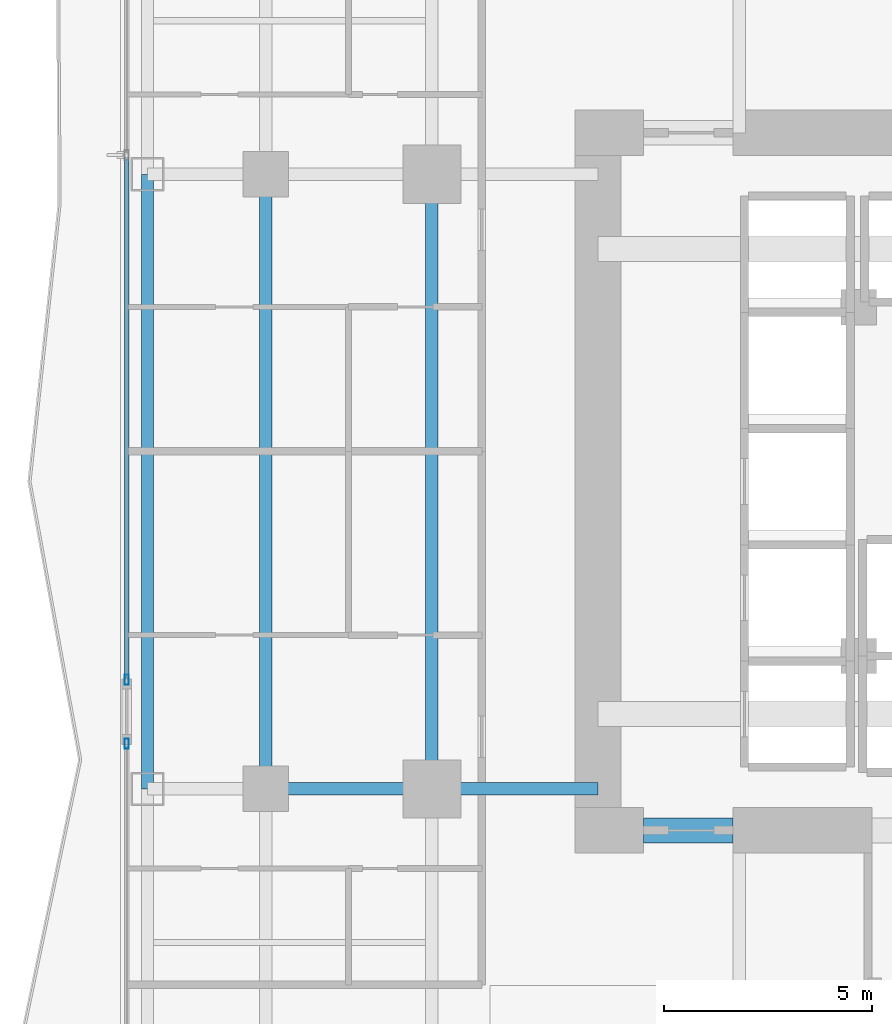
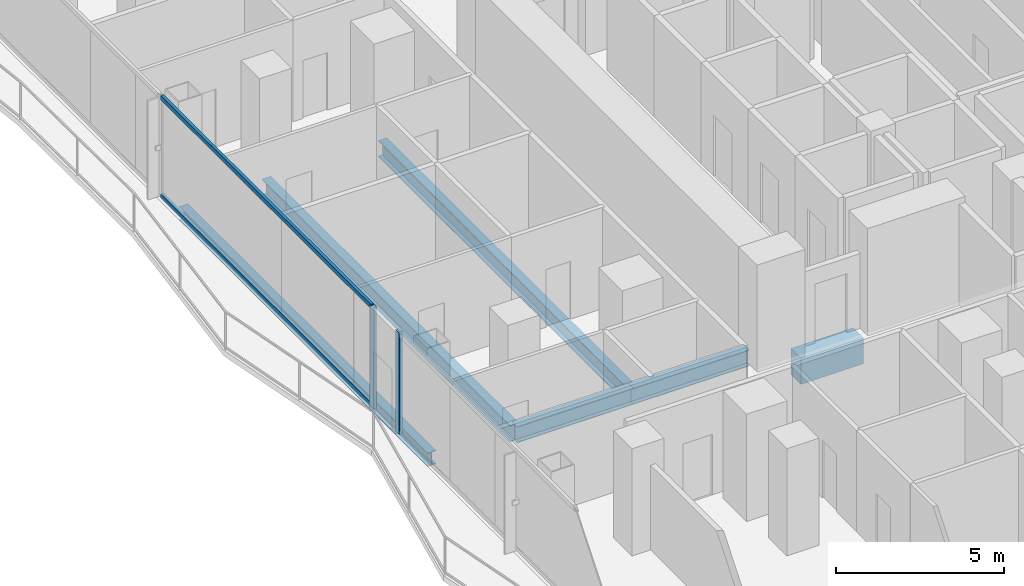
# One storey, part 6 of 30: 6 beams, 4 members, 2 elements without a shape of their own.
"""IFC4 building model written with IfcOpenShell, lengths in metres."""

from ifc_helpers import new_model, si_unit, direction, frame, origin, origin_2d, place, context, subcontext, project, spatial, rectangle, hollow_rectangle, i_section, extrude, material, layer, layer_set, material_profile, profile_set, type_object, element, aggregate, save


model = new_model("IFC4")

# Units and contexts
model_context = context("Model", 3, precision=1e-05, world=origin(), true_north=direction((0.0, 1.0)))
body_context = subcontext(model_context, "Body", "Model", "MODEL_VIEW")
ifc_project = project(units=[si_unit("LENGTHUNIT", "METRE"), si_unit("AREAUNIT", "SQUARE_METRE"), si_unit("VOLUMEUNIT", "CUBIC_METRE"), si_unit("PLANEANGLEUNIT", "RADIAN"), si_unit("MASSUNIT", "GRAM", prefix="KILO")], contexts=[model_context])

# Site, building, storey
site_placement = place(None, origin())
site = spatial("IfcSite", under=ifc_project, at=site_placement, CompositionType="ELEMENT")
building_placement = place(site_placement, origin())
building = spatial("IfcBuilding", under=site, at=building_placement, Name="Khorvyn Point Tower", CompositionType="ELEMENT")
storey_placement = place(building_placement, frame((0.0, 0.0, 30.60009765625)))
storey = spatial("IfcBuildingStorey", under=building, at=storey_placement, Name="L08", CompositionType="ELEMENT", Elevation=30.60009765625)

# Curtain wall, member
ifc_material_1 = material(Name="Anodised aluminium 6063-T6 and laminated Low-E glass", Category="aluminium")
ifc_layer = layer(ifc_material_1, 0.18994140625)
ifc_layer_set = layer_set([ifc_layer], Name="Stick-Built Finned Residential Curtain Wall CW-SYS-02")
curtain_wall_type = type_object("IfcCurtainWallType", Name="Stick-Built Finned Residential Curtain Wall CW-SYS-02", PredefinedType="NOTDEFINED", material=ifc_layer_set)
curtain_wall_1_placement = place(storey_placement, origin())
curtain_wall_1 = element("IfcCurtainWall", 1, at=curtain_wall_1_placement, inside=storey, type_object=curtain_wall_type, Name="Curtain Wall", PredefinedType="NOTDEFINED")
ifc_material_2 = material(Name="Anodised aluminium 6063-T6", Category="aluminium")
ifc_material_profile_1 = material_profile(ifc_material_2, hollow_rectangle(XDim=0.10009765625, YDim=0.239990234375, WallThickness=0.0048828125, at=origin_2d()))
ifc_profile_set_1 = profile_set([ifc_material_profile_1], Name="Anodised aluminium 6063-T6 ALU-MUL-100x240")
member_type_1 = type_object("IfcMemberType", Name="Anodised Aluminium 6063-T6 Mullion ALU-MUL-100x240", PredefinedType="MULLION", material=ifc_profile_set_1)
member_1_placement = place(storey_placement, frame((-22.14990234375, -6.31396484375, 0.0), z_axis=(0.0, 0.0, 1.0), x_axis=(-1.0, 0.0, 0.0)))
member_1 = element("IfcMember", 2, at=member_1_placement, type_object=member_type_1, Name="Transom", PredefinedType="MULLION", context=body_context, shape_type="SweptSolid", body=[
    extrude(hollow_rectangle(XDim=0.10009765625, YDim=0.239990234375, WallThickness=0.0048828125, at=origin_2d()), origin(), (0.0, 0.0, 1.0), 3.679931640625),
])
aggregate(curtain_wall_1, [member_1])

# Curtain wall, members
curtain_wall_2_placement = place(storey_placement, origin())
curtain_wall_2 = element("IfcCurtainWall", 3, at=curtain_wall_2_placement, inside=storey, type_object=curtain_wall_type, Name="Curtain Wall", PredefinedType="NOTDEFINED")
member_2_placement = place(storey_placement, frame((-22.14990234375, -4.77392578125, 0.0), z_axis=(0.0, 0.0, 1.0), x_axis=(-1.0, 0.0, 0.0)))
member_2 = element("IfcMember", 4, at=member_2_placement, type_object=member_type_1, Name="Transom", PredefinedType="MULLION", context=body_context, shape_type="SweptSolid", body=[
    extrude(hollow_rectangle(XDim=0.10009765625, YDim=0.239990234375, WallThickness=0.0048828125, at=origin_2d()), origin(), (0.0, 0.0, 1.0), 3.679931640625),
])
ifc_material_profile_2 = material_profile(ifc_material_2, hollow_rectangle(XDim=0.10009765625, YDim=0.159912109375, WallThickness=0.00439453125, at=origin_2d()))
ifc_profile_set_2 = profile_set([ifc_material_profile_2], Name="Anodised aluminium 6063-T6 ALU-TRN-100x160")
member_type_2 = type_object("IfcMemberType", Name="Anodised Aluminium 6063-T6 Transom ALU-TRN-100x160", PredefinedType="USERDEFINED", material=ifc_profile_set_2)
member_3_placement = place(storey_placement, frame((-22.14990234375, -4.72412109375, 0.0498046875), z_axis=(0.0, 1.0, 0.0), x_axis=(-1.0, 0.0, 0.0)))
member_3 = element("IfcMember", 5, at=member_3_placement, type_object=member_type_2, Name="Transom", ObjectType="TRANSOM", PredefinedType="USERDEFINED", context=body_context, shape_type="SweptSolid", body=[
    extrude(hollow_rectangle(XDim=0.10009765625, YDim=0.159912109375, WallThickness=0.00439453125, at=origin_2d()), origin(), (0.0, 0.0, 1.0), 12.537109375),
])
member_4_placement = place(storey_placement, frame((-22.14990234375, -4.72412109375, 3.6298828125), z_axis=(0.0, 1.0, 0.0), x_axis=(-1.0, 0.0, 0.0)))
member_4 = element("IfcMember", 6, at=member_4_placement, type_object=member_type_2, Name="Transom", ObjectType="TRANSOM", PredefinedType="USERDEFINED", context=body_context, shape_type="SweptSolid", body=[
    extrude(hollow_rectangle(XDim=0.10009765625, YDim=0.159912109375, WallThickness=0.00439453125, at=origin_2d()), origin(), (0.0, 0.0, 1.0), 12.537109375),
])
aggregate(curtain_wall_2, [member_2, member_3, member_4])

# Beams
ifc_material_3 = material(Name="Concrete C50/60", Category="concrete")
ifc_material_profile_3 = material_profile(ifc_material_3, rectangle(XDim=0.60009765625, YDim=0.949951171875, at=origin_2d()))
ifc_profile_set_3 = profile_set([ifc_material_profile_3], Name="Concrete C50/60 RC600x950")
beam_type_1 = type_object("IfcBeamType", Name="Concrete C50/60 Beam RC600x950", PredefinedType="BEAM", material=ifc_profile_set_3)
beam_1_placement = place(storey_placement, frame((-9.699951171875, -8.39990234375, -0.695068359375), z_axis=(1.0, 0.0, 0.0), x_axis=(0.0, 1.0, 0.0)))
element("IfcBeam", 7, at=beam_1_placement, inside=storey, type_object=beam_type_1, Name="L08 Core Southwest Portal Coupling Beam", PredefinedType="BEAM", context=body_context, shape_type="SweptSolid", body=[
    extrude(rectangle(XDim=0.60009765625, YDim=0.949951171875, at=origin_2d()), origin(), (0.0, 0.0, 1.0), 2.14990234375),
])
ifc_material_4 = material(Name="Steel S355", Category="steel")
ifc_material_profile_4 = material_profile(ifc_material_4, i_section(OverallWidth=0.300048828125, OverallDepth=0.587890625, WebThickness=0.011962890625, FlangeThickness=0.02001953125, at=origin_2d()))
ifc_profile_set_4 = profile_set([ifc_material_profile_4], Name="Steel S355 H588x300x12x20")
beam_type_2 = type_object("IfcBeamType", Name="Steel S355 Beam H588x300x12x20", PredefinedType="BEAM", material=ifc_profile_set_4)
for number, where, z_axis, x_axis, name in (
    (8, (-18.800048828125, -7.39990234375, -0.51416015625), (1.0, 0.0, 0.0), (0.0, 1.0, 0.0), "Beam"),
    (9, (-14.800048828125, -7.39990234375, -0.51416015625), (1.0, 0.0, 0.0), (0.0, 1.0, 0.0), "Beam"),
):
    element("IfcBeam", number, at=place(storey_placement, frame(where, z_axis=z_axis, x_axis=x_axis)), inside=storey, type_object=beam_type_2, Name=name, PredefinedType="BEAM", context=body_context, shape_type="SweptSolid", body=[
        extrude(i_section(OverallWidth=0.300048828125, OverallDepth=0.587890625, WebThickness=0.011962890625, FlangeThickness=0.02001953125, at=origin_2d()), origin(), (0.0, 0.0, 1.0), 4.0),
    ])
for number, where, z_axis, x_axis, name in (
    (10, (-14.800048828125, -7.39990234375, -0.51416015625), (0.0, 1.0, 0.0), (-1.0, 0.0, 0.0), "Beam"),
    (11, (-18.800048828125, -7.39990234375, -0.51416015625), (0.0, 1.0, 0.0), (-1.0, 0.0, 0.0), "Beam"),
):
    element("IfcBeam", number, at=place(storey_placement, frame(where, z_axis=z_axis, x_axis=x_axis)), inside=storey, type_object=beam_type_2, Name=name, PredefinedType="BEAM", context=body_context, shape_type="SweptSolid", body=[
        extrude(i_section(OverallWidth=0.300048828125, OverallDepth=0.587890625, WebThickness=0.011962890625, FlangeThickness=0.02001953125, at=origin_2d()), origin(), (0.0, 0.0, 1.0), 14.7998046875),
    ])
ifc_material_profile_5 = material_profile(ifc_material_4, i_section(OverallWidth=0.300048828125, OverallDepth=0.488037109375, WebThickness=0.010986328125, FlangeThickness=0.01806640625, at=origin_2d()))
ifc_profile_set_5 = profile_set([ifc_material_profile_5], Name="Steel S355 H488x300x11x18")
beam_type_3 = type_object("IfcBeamType", Name="Steel S355 Spandrel H488x300x11x18", PredefinedType="SPANDREL", material=ifc_profile_set_5)
beam_2_placement = place(storey_placement, frame((-21.64990234375, -7.39990234375, -0.464111328125), z_axis=(0.0, 1.0, 0.0), x_axis=(-1.0, 0.0, 0.0)))
element("IfcBeam", 12, at=beam_2_placement, inside=storey, type_object=beam_type_3, Name="Beam", PredefinedType="SPANDREL", context=body_context, shape_type="SweptSolid", body=[
    extrude(i_section(OverallWidth=0.300048828125, OverallDepth=0.488037109375, WebThickness=0.010986328125, FlangeThickness=0.01806640625, at=origin_2d()), origin(), (0.0, 0.0, 1.0), 14.7998046875),
])

save(model, "model.ifc")
